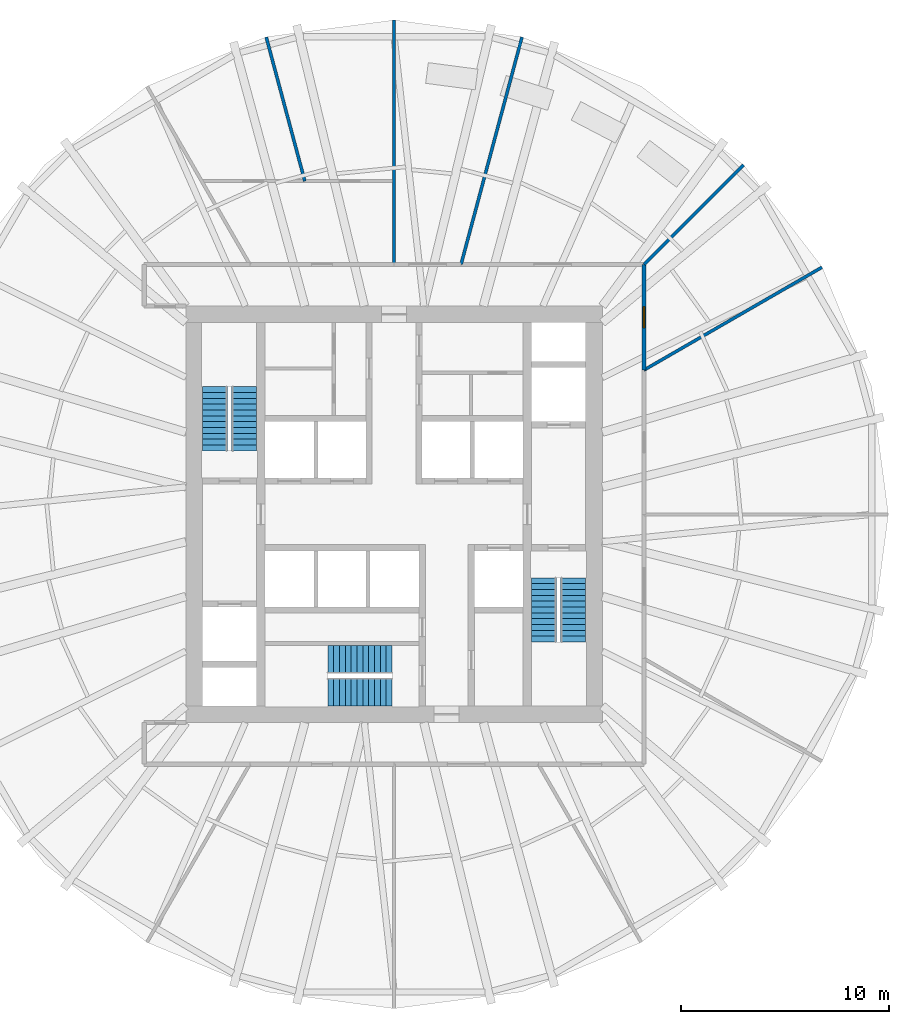
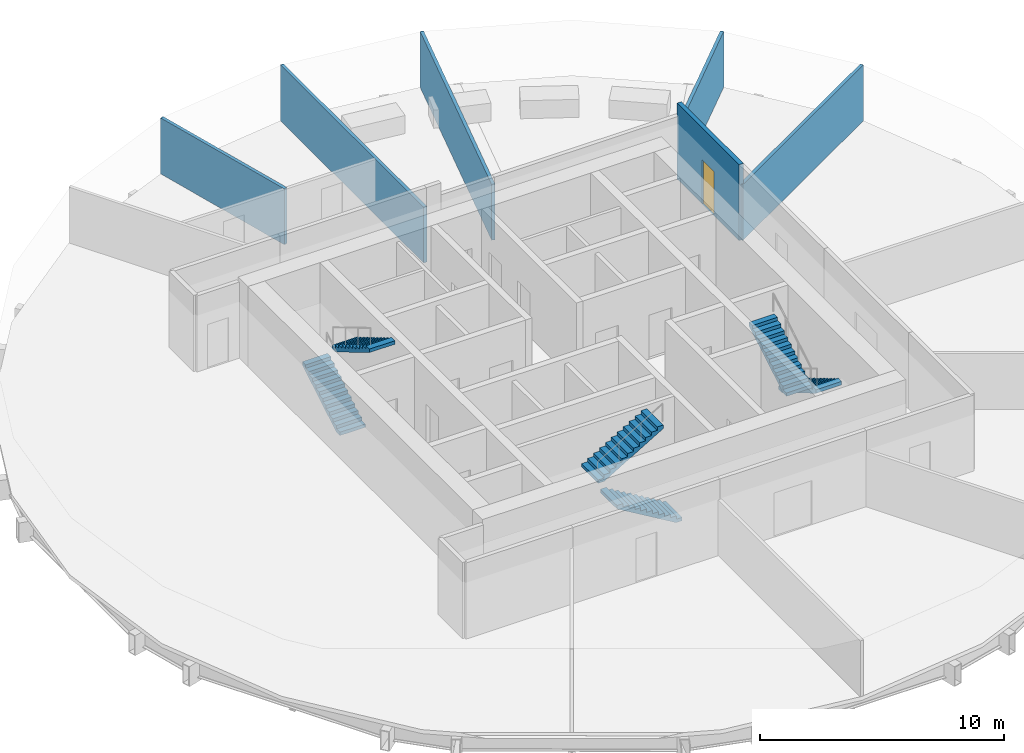
# One storey, part 5 of 7: 6 stair flights, 6 walls, 1 door, 1 opening, 3 elements without a shape of their own.
"""IFC4 building model written with IfcOpenShell, lengths in metres."""

import ifcopenshell
import ifcopenshell.guid

model = None  # the IFC model being written
_history = None  # IfcOwnerHistory: only IFC2X3 demands one
_inside = {}  # id of a spatial element -> (the spatial element, [elements in it])
_under = {}  # id of a project, library or spatial element -> (it, [spatial elements below it])
_declared = {}  # id of a project -> (the project, [libraries it declares])
_typed = {}  # id of a type object -> (the type object, [elements of that type])
_made_of = {}  # id of a material, layer set ... -> (it, [elements and type objects made of it])


def new_model(schema):
    """Start an empty IFC model of exactly this schema.

    Asked for "IFC4X3", IfcOpenShell would pick the latest addendum, in which some entities
    have other attributes; the version numbers below select the first issue.
    IFC2X3 requires an IfcOwnerHistory on every rooted entity: one is made here for all.
    """
    global model, _history
    if schema == "IFC4X3":
        model = ifcopenshell.file(schema_version=(4, 3, 0, 0))
    else:
        model = ifcopenshell.file(schema=schema)
    _inside.clear()
    _under.clear()
    _declared.clear()
    _typed.clear()
    _made_of.clear()
    _history = None
    if model.schema == "IFC2X3":
        org = make("IfcOrganization", Name="unknown")
        user = make(
            "IfcPersonAndOrganization",
            ThePerson=make("IfcPerson", FamilyName="unknown"),
            TheOrganization=org,
        )
        app = make(
            "IfcApplication",
            ApplicationDeveloper=org,
            Version="unknown",
            ApplicationFullName="unknown",
            ApplicationIdentifier="unknown",
        )
        _history = make(
            "IfcOwnerHistory",
            OwningUser=user,
            OwningApplication=app,
            ChangeAction="ADDED",
            CreationDate=0,
        )
    return model


def make(cls, **values):
    """One entity of the class cls with the attributes given. An attribute that is None is left unset."""
    return model.create_entity(
        cls, **{name: value for name, value in values.items() if value is not None}
    )


def rooted(cls, **values):
    """An entity with a GlobalId (a new one), such as an element, a storey or a relation."""
    return make(cls, GlobalId=ifcopenshell.guid.new(), OwnerHistory=_history, **values)


def si_unit(unit_type, name, prefix=None):
    """IfcSIUnit, for example si_unit("LENGTHUNIT", "METRE", prefix="MILLI")."""
    return make("IfcSIUnit", UnitType=unit_type, Prefix=prefix, Name=name)


def assignment(units):
    """IfcUnitAssignment: the units of a project."""
    return None if units is None else make("IfcUnitAssignment", Units=units)


def point(xyz):
    """IfcCartesianPoint."""
    return None if xyz is None else make("IfcCartesianPoint", Coordinates=xyz)


def direction(xyz):
    """IfcDirection."""
    return None if xyz is None else make("IfcDirection", DirectionRatios=xyz)


def frame(location, z_axis=None, x_axis=None):
    """IfcAxis2Placement3D, a coordinate frame: its origin and axes. An axis left out is left unset."""
    return make(
        "IfcAxis2Placement3D",
        Location=point(location),
        Axis=direction(z_axis),
        RefDirection=direction(x_axis),
    )


def frame_2d(location, x_axis=None):
    """IfcAxis2Placement2D, a coordinate frame in the plane: its origin and x axis."""
    return make(
        "IfcAxis2Placement2D", Location=point(location), RefDirection=direction(x_axis)
    )


def origin():
    """The frame at (0, 0, 0) with its axes left unset."""
    return frame((0.0, 0.0, 0.0))


def place(relative_to, where):
    """IfcLocalPlacement: puts the frame where relative to a parent placement (None: the world)."""
    return make(
        "IfcLocalPlacement", PlacementRelTo=relative_to, RelativePlacement=where
    )


def context(
    kind, dimensions, precision=None, world=None, true_north=None, identifier=None
):
    """IfcGeometricRepresentationContext, for example the 3D "Model" context."""
    return make(
        "IfcGeometricRepresentationContext",
        ContextIdentifier=identifier,
        ContextType=kind,
        CoordinateSpaceDimension=dimensions,
        Precision=precision,
        WorldCoordinateSystem=world,
        TrueNorth=true_north,
    )


def subcontext(parent, identifier, kind, view, scale=None):
    """IfcGeometricRepresentationSubContext, for example "Body" below "Model"."""
    return make(
        "IfcGeometricRepresentationSubContext",
        ContextIdentifier=identifier,
        ContextType=kind,
        ParentContext=parent,
        TargetScale=scale,
        TargetView=view,
    )


def project(units=None, contexts=None):
    """IfcProject with its units and contexts."""
    return rooted(
        "IfcProject",
        Name="project",
        RepresentationContexts=contexts,
        UnitsInContext=assignment(units),
    )


def spatial(cls, under=None, at=None, **own):
    """A site, building, storey or space (cls), placed at a placement, below another one or the project."""
    s = rooted(cls, ObjectPlacement=at, **own)
    if under is not None:
        _under.setdefault(under.id(), (under, []))[1].append(s)
    return s


def polyline(points):
    """IfcPolyline through the points."""
    return make("IfcPolyline", Points=[point(p) for p in points])


def profile(cls, at=None, kind="AREA", **sizes):
    """A parametric profile (cls). Its sizes go by their IFC names, for example OverallWidth=200.0."""
    return make(cls, ProfileType=kind, Position=at, **sizes)


def rectangle(**sizes):
    """IfcRectangleProfileDef."""
    return profile("IfcRectangleProfileDef", **sizes)


def outline(outer, holes=None, kind="AREA"):
    """IfcArbitraryClosedProfileDef: a profile drawn as a closed curve; with holes, ...WithVoids."""
    if holes is None:
        return make("IfcArbitraryClosedProfileDef", ProfileType=kind, OuterCurve=outer)
    return make(
        "IfcArbitraryProfileDefWithVoids",
        ProfileType=kind,
        OuterCurve=outer,
        InnerCurves=holes,
    )


def extrude(swept, where, along, depth):
    """IfcExtrudedAreaSolid: the profile swept, set in the frame where, extruded along a direction by depth."""
    return make(
        "IfcExtrudedAreaSolid",
        SweptArea=swept,
        Position=where,
        ExtrudedDirection=direction(along),
        Depth=depth,
    )


def shape(context_of_items, identifier, shape_type, items):
    """IfcShapeRepresentation: the items that make up one representation, for example the "Body"."""
    return make(
        "IfcShapeRepresentation",
        ContextOfItems=context_of_items,
        RepresentationIdentifier=identifier,
        RepresentationType=shape_type,
        Items=items,
    )


def material(Name=None, Category=None):
    """IfcMaterial."""
    return make("IfcMaterial", Name=Name, Category=Category)


def layer(
    of_material, thickness, ventilated=None, Name=None, Category=None, Priority=None
):
    """IfcMaterialLayer: one layer of a wall or slab, of a material (None: an air gap)."""
    return make(
        "IfcMaterialLayer",
        Material=of_material,
        LayerThickness=thickness,
        IsVentilated=ventilated,
        Name=Name,
        Category=Category,
        Priority=Priority,
    )


def layer_set(layers, Name=None):
    """IfcMaterialLayerSet."""
    return make("IfcMaterialLayerSet", MaterialLayers=layers, LayerSetName=Name)


def made_of(thing, what):
    """Note that an element or type object is made of a material, layer set ...; save() writes the relation."""
    if what is not None:
        _made_of.setdefault(what.id(), (what, []))[1].append(thing)
    return thing


def type_object(cls, material=None, **own):
    """A type object (cls), such as IfcWallType, which elements share."""
    return made_of(rooted(cls, **own), material)


def element(
    cls,
    number,
    at=None,
    inside=None,
    cuts=None,
    type_object=None,
    material=None,
    context=None,
    identifier="Body",
    shape_type=None,
    held_by="IfcProductDefinitionShape",
    body=None,
    shapes=None,
    **own,
):
    """One element of the class cls, such as IfcWall. Its Tag is "e" and its number.

    at: its placement. inside: the storey or other place that contains it. cuts: it is an
    opening in that element (IfcRelVoidsElement). A single representation is given by context,
    identifier, shape_type and body (its items); several are given by shapes. held_by: the class
    of the entity that holds the representations. save() writes the other relations.
    """
    e = rooted(cls, Tag="e%d" % number, ObjectPlacement=at, **own)
    if body is not None:
        shapes = [shape(context, identifier, shape_type, body)]
    if shapes is not None:
        e.Representation = make(held_by, Representations=shapes)
    if inside is not None:
        _inside.setdefault(inside.id(), (inside, []))[1].append(e)
    if cuts is not None:
        rooted(
            "IfcRelVoidsElement", RelatingBuildingElement=cuts, RelatedOpeningElement=e
        )
    if type_object is not None:
        _typed.setdefault(type_object.id(), (type_object, []))[1].append(e)
    return made_of(e, material)


def fill(opening, filler):
    """IfcRelFillsElement: the door or window that sits in an opening."""
    return rooted(
        "IfcRelFillsElement",
        RelatingOpeningElement=opening,
        RelatedBuildingElement=filler,
    )


def aggregate(whole, parts):
    """IfcRelAggregates: a whole, such as a stair, and the parts it consists of."""
    return rooted("IfcRelAggregates", RelatingObject=whole, RelatedObjects=parts)


def save(model, path):
    """Write the relations noted so far, then the file.

    IfcRelAggregates (storeys below a building ...), IfcRelContainedInSpatialStructure (elements
    in a storey), IfcRelDefinesByType, IfcRelAssociatesMaterial and IfcRelDeclares: one each for
    every whole, place, type object, material and project.
    """
    for whole, parts in _under.values():
        aggregate(whole, parts)
    for where, things in _inside.values():
        rooted(
            "IfcRelContainedInSpatialStructure",
            RelatedElements=things,
            RelatingStructure=where,
        )
    for kind, things in _typed.values():
        rooted("IfcRelDefinesByType", RelatedObjects=things, RelatingType=kind)
    for what, things in _made_of.values():
        rooted("IfcRelAssociatesMaterial", RelatedObjects=things, RelatingMaterial=what)
    for by, libraries in _declared.values():
        rooted("IfcRelDeclares", RelatingContext=by, RelatedDefinitions=libraries)
    model.write(path)


model = new_model("IFC4")

# Units and contexts
model_context = context("Model", 3, precision=1e-05, world=origin(), true_north=direction((0.0, 1.0)))
body_context = subcontext(model_context, "Body", "Model", "MODEL_VIEW")
ifc_project = project(units=[si_unit("LENGTHUNIT", "METRE"), si_unit("AREAUNIT", "SQUARE_METRE"), si_unit("VOLUMEUNIT", "CUBIC_METRE"), si_unit("PLANEANGLEUNIT", "RADIAN"), si_unit("MASSUNIT", "GRAM", prefix="KILO")], contexts=[model_context])

# Site, building, storey
site_placement = place(None, origin())
site = spatial("IfcSite", under=ifc_project, at=site_placement, CompositionType="ELEMENT")
building_placement = place(site_placement, origin())
building = spatial("IfcBuilding", under=site, at=building_placement, Name="Golbaran Civic Tower", CompositionType="ELEMENT")
storey_placement = place(building_placement, frame((0.0, 0.0, 65.0)))
storey = spatial("IfcBuildingStorey", under=building, at=storey_placement, Name="L15", CompositionType="ELEMENT", Elevation=65.0)

# Wall, opening, door
ifc_material_1 = material(Name="Gypsum board on steel studs, fire-rated", Category="steel")
ifc_layer_1 = layer(ifc_material_1, 0.199951171875, Name="Gypsum board on steel studs, fire-rated")
ifc_layer_set_1 = layer_set([ifc_layer_1], Name="Gypsum board on steel studs, fire-rated")
wall_type_1 = type_object("IfcWallType", Name="CORRIDOR WALL 200", PredefinedType="PARTITIONING", material=ifc_layer_set_1)
wall_1_placement = place(storey_placement, frame((12.0, 6.92822265625, 0.0), z_axis=(0.0, 0.0, 1.0), x_axis=(0.0, 1.0, 0.0)))
wall_1 = element("IfcWall", 1, at=wall_1_placement, inside=storey, type_object=wall_type_1, Name="Corridor wall L15", PredefinedType="PARTITIONING", context=body_context, shape_type="SweptSolid", body=[
    extrude(rectangle(XDim=5.07177734375, YDim=0.199951171875, at=frame_2d((2.535888671875, 0.0))), origin(), (0.0, 0.0, 1.0), 3.800048828125),
])
opening_placement = place(wall_1_placement, frame((2.035888671875, 0.0, 0.0)))
opening = element("IfcOpeningElement", 2, at=opening_placement, cuts=wall_1, Name="Opening L15.06", PredefinedType="OPENING", context=body_context, shape_type="SweptSolid", body=[
    extrude(rectangle(XDim=1.0, YDim=2.199951171875, at=frame_2d((0.5, 1.10009765625))), frame((0.0, 0.10986328125, 0.0), z_axis=(0.0, -1.0, 0.0), x_axis=(1.0, 0.0, 0.0)), (0.0, 0.0, 1.0), 0.219970703125),
])
ifc_material_2 = material(Name="Timber door set in steel frame", Category="steel")
door_type = type_object("IfcDoorType", Name="OFFICE DOOR 1000x2200", OperationType="SINGLE_SWING_LEFT", PredefinedType="DOOR", material=ifc_material_2)
door_placement = place(opening_placement, origin())
door = element("IfcDoor", 3, at=door_placement, inside=storey, type_object=door_type, Name="Prayer Room door L15", OperationType="SINGLE_SWING_LEFT", OverallHeight=2.199951171875, OverallWidth=1.0, PredefinedType="DOOR", context=body_context, shape_type="SweptSolid", body=[
    extrude(rectangle(XDim=1.0, YDim=2.199951171875, at=frame_2d((0.5, 1.10009765625))), frame((0.0, 0.02490234375, 0.0), z_axis=(0.0, -1.0, 0.0), x_axis=(1.0, 0.0, 0.0)), (0.0, 0.0, 1.0), 0.050048828125),
])
fill(opening, door)

# Walls
ifc_material_3 = material(Name="Gypsum board on steel studs", Category="steel")
ifc_layer_2 = layer(ifc_material_3, 0.14990234375, Name="Gypsum board on steel studs")
ifc_layer_set_2 = layer_set([ifc_layer_2], Name="Gypsum board on steel studs")
wall_type_2 = type_object("IfcWallType", Name="OFFICE PARTITION 150", PredefinedType="PARTITIONING", material=ifc_layer_set_2)
wall_2_placement = place(storey_placement, frame((12.0, 6.92822265625, 0.0), z_axis=(0.0, 0.0, 1.0), x_axis=(0.866031940362, 0.499988678145, 0.0)))
element("IfcWall", 4, at=wall_2_placement, inside=storey, type_object=wall_type_2, Name="Partition 30 L15", PredefinedType="PARTITIONING", context=body_context, shape_type="SweptSolid", body=[
    extrude(rectangle(XDim=9.869873046875, YDim=0.14990234375, at=frame_2d((4.93505859375, 0.0))), origin(), (0.0, 0.0, 1.0), 2.7900390625),
])
wall_3_placement = place(storey_placement, frame((12.0, 12.0, 0.0), z_axis=(0.0, 0.0, 1.0), x_axis=(0.707106781187, 0.707106781187, 0.0)))
element("IfcWall", 5, at=wall_3_placement, inside=storey, type_object=wall_type_2, Name="Partition 45 L15", PredefinedType="PARTITIONING", context=body_context, shape_type="SweptSolid", body=[
    extrude(rectangle(XDim=6.755615234375, YDim=0.14990234375, at=frame_2d((3.3779296875, 0.0))), origin(), (0.0, 0.0, 1.0), 2.7900390625),
])
wall_4_placement = place(storey_placement, frame((3.21533203125, 12.0, 0.0), z_axis=(0.0, 0.0, 1.0), x_axis=(0.258830735057, 0.965922693899, 0.0)))
element("IfcWall", 6, at=wall_4_placement, inside=storey, type_object=wall_type_2, Name="Partition 75 L15", PredefinedType="PARTITIONING", context=body_context, shape_type="SweptSolid", body=[
    extrude(rectangle(XDim=11.302978515625, YDim=0.14990234375, at=frame_2d((5.6513671875, 0.0))), origin(), (0.0, 0.0, 1.0), 2.7900390625),
])
wall_5_placement = place(storey_placement, frame((0.0, 12.0, 0.0), z_axis=(0.0, 0.0, 1.0), x_axis=(0.0, 1.0, 0.0)))
element("IfcWall", 7, at=wall_5_placement, inside=storey, type_object=wall_type_2, Name="Partition 90 L15", PredefinedType="PARTITIONING", context=body_context, shape_type="SweptSolid", body=[
    extrude(rectangle(XDim=11.726318359375, YDim=0.14990234375, at=frame_2d((5.86328125, 0.0))), origin(), (0.0, 0.0, 1.0), 2.7900390625),
])
wall_6_placement = place(storey_placement, frame((-4.287109375, 16.0, 0.0), z_axis=(0.0, 0.0, 1.0), x_axis=(-0.258840025144, 0.96592020446, 0.0)))
element("IfcWall", 8, at=wall_6_placement, inside=storey, type_object=wall_type_2, Name="Partition 105 L15", PredefinedType="PARTITIONING", context=body_context, shape_type="SweptSolid", body=[
    extrude(rectangle(XDim=7.161865234375, YDim=0.14990234375, at=frame_2d((3.5810546875, 0.0))), origin(), (0.0, 0.0, 1.0), 2.7900390625),
])

# Stair, stair flights
ifc_material_4 = material(Name="Concrete C35/45", Category="concrete")
stair_type_1 = type_object("IfcStairType", Name="EXIT STAIR 2600 x 7450, 4000 RISE", PredefinedType="HALF_TURN_STAIR", material=ifc_material_4)
stair_1_placement = place(storey_placement, origin())
stair_1 = element("IfcStair", 9, at=stair_1_placement, inside=storey, type_object=stair_type_1, Name="Stair S1 L15", PredefinedType="HALF_TURN_STAIR")
stair_flight_type_1 = type_object("IfcStairFlightType", Name="STAIR FLIGHT 1200 WIDE", PredefinedType="STRAIGHT", material=ifc_material_4)
stair_flight_1_placement = place(storey_placement, frame((-8.60009765625, 3.050048828125, 0.0), z_axis=(0.0, 0.0, 1.0), x_axis=(0.0, 1.0, 0.0)))
stair_flight_1 = element("IfcStairFlight", 10, at=stair_flight_1_placement, type_object=stair_flight_type_1, Name="ST26074-40 flight 1", NumberOfRisers=12, NumberOfTreads=11, PredefinedType="STRAIGHT", RiserHeight=0.166666667, TreadLength=0.28, context=body_context, shape_type="SweptSolid", body=[
    extrude(outline(polyline([(0.0, 0.0), (0.0, 0.166748046875), (0.280029296875, 0.166748046875), (0.280029296875, 0.333251953125), (0.56005859375, 0.333251953125), (0.56005859375, 0.5), (0.840087890625, 0.5), (0.840087890625, 0.666748046875), (1.1201171875, 0.666748046875), (1.1201171875, 0.833251953125), (1.39990234375, 0.833251953125), (1.39990234375, 1.0), (1.679931640625, 1.0), (1.679931640625, 1.166748046875), (1.9599609375, 1.166748046875), (1.9599609375, 1.333251953125), (2.239990234375, 1.333251953125), (2.239990234375, 1.5), (2.52001953125, 1.5), (2.52001953125, 1.666748046875), (2.800048828125, 1.666748046875), (2.800048828125, 1.833251953125), (3.080078125, 1.833251953125), (3.080078125, 2.0), (3.080078125, 1.658935546875), (0.29296875, 0.0), (0.0, 0.0)])), frame((0.0, 0.60009765625, 0.0), z_axis=(0.0, -1.0, 0.0), x_axis=(1.0, 0.0, 0.0)), (0.0, 0.0, 1.0), 1.199951171875),
])
stair_flight_2_placement = place(storey_placement, frame((-7.199951171875, 6.1298828125, 2.0), z_axis=(0.0, 0.0, 1.0), x_axis=(0.0, -1.0, 0.0)))
stair_flight_2 = element("IfcStairFlight", 11, at=stair_flight_2_placement, type_object=stair_flight_type_1, Name="ST26074-40 flight 2", NumberOfRisers=12, NumberOfTreads=11, PredefinedType="STRAIGHT", RiserHeight=0.166666667, TreadLength=0.28, context=body_context, shape_type="SweptSolid", body=[
    extrude(outline(polyline([(0.0, 0.0), (0.0, 0.166748046875), (0.280029296875, 0.166748046875), (0.280029296875, 0.333251953125), (0.56005859375, 0.333251953125), (0.56005859375, 0.5), (0.840087890625, 0.5), (0.840087890625, 0.666748046875), (1.1201171875, 0.666748046875), (1.1201171875, 0.833251953125), (1.39990234375, 0.833251953125), (1.39990234375, 1.0), (1.679931640625, 1.0), (1.679931640625, 1.166748046875), (1.9599609375, 1.166748046875), (1.9599609375, 1.333251953125), (2.239990234375, 1.333251953125), (2.239990234375, 1.5), (2.52001953125, 1.5), (2.52001953125, 1.666748046875), (2.800048828125, 1.666748046875), (2.800048828125, 1.833251953125), (3.080078125, 1.833251953125), (3.080078125, 2.0), (3.080078125, 1.658935546875), (0.29296875, 0.0), (0.0, 0.0)])), frame((0.0, 0.60009765625, 0.0), z_axis=(0.0, -1.0, 0.0), x_axis=(1.0, 0.0, 0.0)), (0.0, 0.0, 1.0), 1.199951171875),
])
aggregate(stair_1, [stair_flight_1, stair_flight_2])

stair_2_placement = place(storey_placement, origin())
stair_2 = element("IfcStair", 12, at=stair_2_placement, inside=storey, type_object=stair_type_1, Name="Stair S2 L15", PredefinedType="HALF_TURN_STAIR")
stair_flight_3_placement = place(storey_placement, frame((8.60009765625, -3.050048828125, 0.0), z_axis=(0.0, 0.0, 1.0), x_axis=(0.0, -1.0, 0.0)))
stair_flight_3 = element("IfcStairFlight", 13, at=stair_flight_3_placement, type_object=stair_flight_type_1, Name="ST26074-40 flight 1", NumberOfRisers=12, NumberOfTreads=11, PredefinedType="STRAIGHT", RiserHeight=0.166666667, TreadLength=0.28, context=body_context, shape_type="SweptSolid", body=[
    extrude(outline(polyline([(0.0, 0.0), (0.0, 0.166748046875), (0.280029296875, 0.166748046875), (0.280029296875, 0.333251953125), (0.56005859375, 0.333251953125), (0.56005859375, 0.5), (0.840087890625, 0.5), (0.840087890625, 0.666748046875), (1.1201171875, 0.666748046875), (1.1201171875, 0.833251953125), (1.39990234375, 0.833251953125), (1.39990234375, 1.0), (1.679931640625, 1.0), (1.679931640625, 1.166748046875), (1.9599609375, 1.166748046875), (1.9599609375, 1.333251953125), (2.239990234375, 1.333251953125), (2.239990234375, 1.5), (2.52001953125, 1.5), (2.52001953125, 1.666748046875), (2.800048828125, 1.666748046875), (2.800048828125, 1.833251953125), (3.080078125, 1.833251953125), (3.080078125, 2.0), (3.080078125, 1.658935546875), (0.29296875, 0.0), (0.0, 0.0)])), frame((0.0, 0.60009765625, 0.0), z_axis=(0.0, -1.0, 0.0), x_axis=(1.0, 0.0, 0.0)), (0.0, 0.0, 1.0), 1.199951171875),
])
stair_flight_4_placement = place(storey_placement, frame((7.199951171875, -6.1298828125, 2.0), z_axis=(0.0, 0.0, 1.0), x_axis=(0.0, 1.0, 0.0)))
stair_flight_4 = element("IfcStairFlight", 14, at=stair_flight_4_placement, type_object=stair_flight_type_1, Name="ST26074-40 flight 2", NumberOfRisers=12, NumberOfTreads=11, PredefinedType="STRAIGHT", RiserHeight=0.166666667, TreadLength=0.28, context=body_context, shape_type="SweptSolid", body=[
    extrude(outline(polyline([(0.0, 0.0), (0.0, 0.166748046875), (0.280029296875, 0.166748046875), (0.280029296875, 0.333251953125), (0.56005859375, 0.333251953125), (0.56005859375, 0.5), (0.840087890625, 0.5), (0.840087890625, 0.666748046875), (1.1201171875, 0.666748046875), (1.1201171875, 0.833251953125), (1.39990234375, 0.833251953125), (1.39990234375, 1.0), (1.679931640625, 1.0), (1.679931640625, 1.166748046875), (1.9599609375, 1.166748046875), (1.9599609375, 1.333251953125), (2.239990234375, 1.333251953125), (2.239990234375, 1.5), (2.52001953125, 1.5), (2.52001953125, 1.666748046875), (2.800048828125, 1.666748046875), (2.800048828125, 1.833251953125), (3.080078125, 1.833251953125), (3.080078125, 2.0), (3.080078125, 1.658935546875), (0.29296875, 0.0), (0.0, 0.0)])), frame((0.0, 0.60009765625, 0.0), z_axis=(0.0, -1.0, 0.0), x_axis=(1.0, 0.0, 0.0)), (0.0, 0.0, 1.0), 1.199951171875),
])
aggregate(stair_2, [stair_flight_3, stair_flight_4])

stair_type_2 = type_object("IfcStairType", Name="EXIT STAIR 2900 x 7400, 4000 RISE", PredefinedType="HALF_TURN_STAIR", material=ifc_material_4)
stair_3_placement = place(storey_placement, origin())
stair_3 = element("IfcStair", 15, at=stair_3_placement, inside=storey, type_object=stair_type_2, Name="Stair S3 L15", PredefinedType="HALF_TURN_STAIR")
stair_flight_type_2 = type_object("IfcStairFlightType", Name="STAIR FLIGHT 1350 WIDE", PredefinedType="STRAIGHT", material=ifc_material_4)
stair_flight_5_placement = place(storey_placement, frame((-0.10009765625, -8.52490234375, 0.0), z_axis=(0.0, 0.0, 1.0), x_axis=(-1.0, 0.0, 0.0)))
stair_flight_5 = element("IfcStairFlight", 16, at=stair_flight_5_placement, type_object=stair_flight_type_2, Name="ST29074-40 flight 1", NumberOfRisers=12, NumberOfTreads=11, PredefinedType="STRAIGHT", RiserHeight=0.166666667, TreadLength=0.28, context=body_context, shape_type="SweptSolid", body=[
    extrude(outline(polyline([(0.0, 0.0), (0.0, 0.166748046875), (0.280029296875, 0.166748046875), (0.280029296875, 0.333251953125), (0.56005859375, 0.333251953125), (0.56005859375, 0.5), (0.840087890625, 0.5), (0.840087890625, 0.666748046875), (1.1201171875, 0.666748046875), (1.1201171875, 0.833251953125), (1.39990234375, 0.833251953125), (1.39990234375, 1.0), (1.679931640625, 1.0), (1.679931640625, 1.166748046875), (1.9599609375, 1.166748046875), (1.9599609375, 1.333251953125), (2.239990234375, 1.333251953125), (2.239990234375, 1.5), (2.52001953125, 1.5), (2.52001953125, 1.666748046875), (2.800048828125, 1.666748046875), (2.800048828125, 1.833251953125), (3.080078125, 1.833251953125), (3.080078125, 2.0), (3.080078125, 1.658935546875), (0.29296875, 0.0), (0.0, 0.0)])), frame((0.0, 0.675048828125, 0.0), z_axis=(0.0, -1.0, 0.0), x_axis=(1.0, 0.0, 0.0)), (0.0, 0.0, 1.0), 1.35009765625),
])
stair_flight_6_placement = place(storey_placement, frame((-3.179931640625, -6.97509765625, 2.0), z_axis=(0.0, 0.0, 1.0), x_axis=(1.0, 0.0, 0.0)))
stair_flight_6 = element("IfcStairFlight", 17, at=stair_flight_6_placement, type_object=stair_flight_type_2, Name="ST29074-40 flight 2", NumberOfRisers=12, NumberOfTreads=11, PredefinedType="STRAIGHT", RiserHeight=0.166666667, TreadLength=0.28, context=body_context, shape_type="SweptSolid", body=[
    extrude(outline(polyline([(0.0, 0.0), (0.0, 0.166748046875), (0.280029296875, 0.166748046875), (0.280029296875, 0.333251953125), (0.56005859375, 0.333251953125), (0.56005859375, 0.5), (0.840087890625, 0.5), (0.840087890625, 0.666748046875), (1.1201171875, 0.666748046875), (1.1201171875, 0.833251953125), (1.39990234375, 0.833251953125), (1.39990234375, 1.0), (1.679931640625, 1.0), (1.679931640625, 1.166748046875), (1.9599609375, 1.166748046875), (1.9599609375, 1.333251953125), (2.239990234375, 1.333251953125), (2.239990234375, 1.5), (2.52001953125, 1.5), (2.52001953125, 1.666748046875), (2.800048828125, 1.666748046875), (2.800048828125, 1.833251953125), (3.080078125, 1.833251953125), (3.080078125, 2.0), (3.080078125, 1.658935546875), (0.29296875, 0.0), (0.0, 0.0)])), frame((0.0, 0.675048828125, 0.0), z_axis=(0.0, -1.0, 0.0), x_axis=(1.0, 0.0, 0.0)), (0.0, 0.0, 1.0), 1.35009765625),
])
aggregate(stair_3, [stair_flight_5, stair_flight_6])

save(model, "model.ifc")
